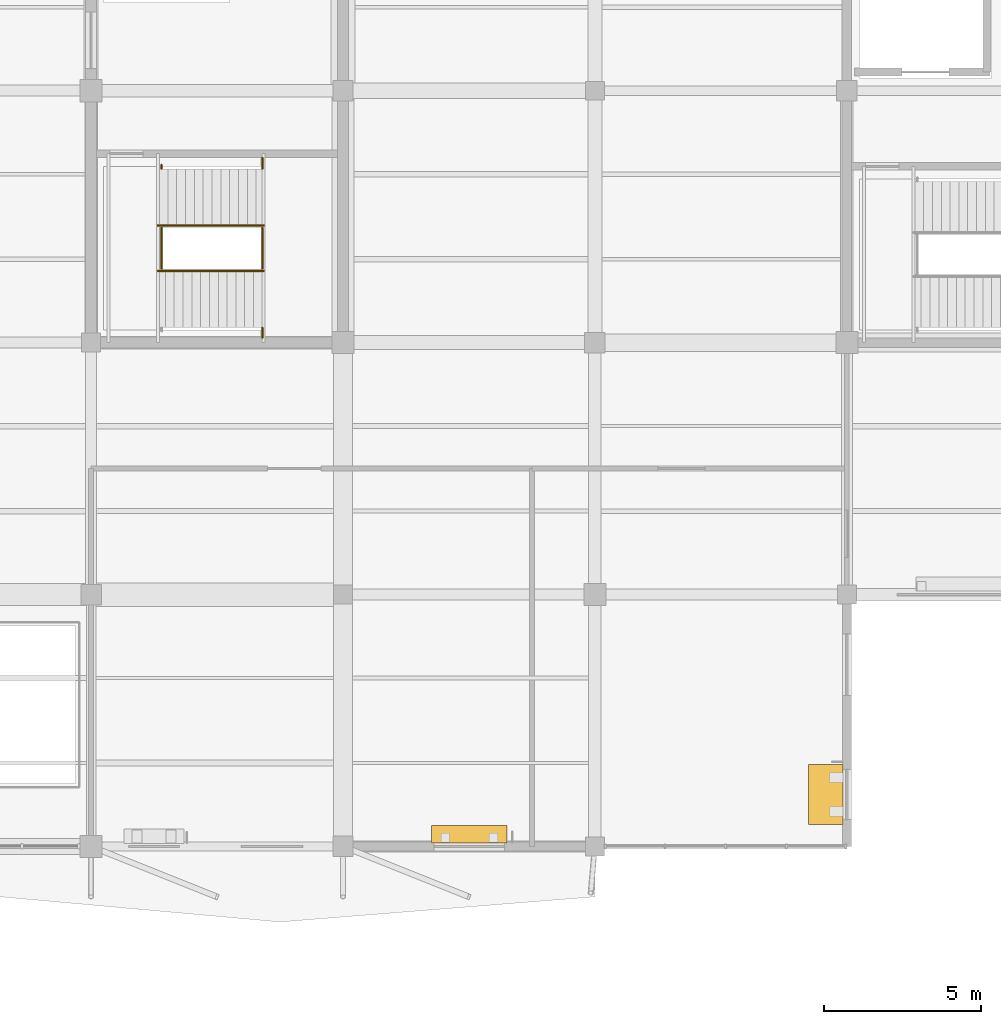
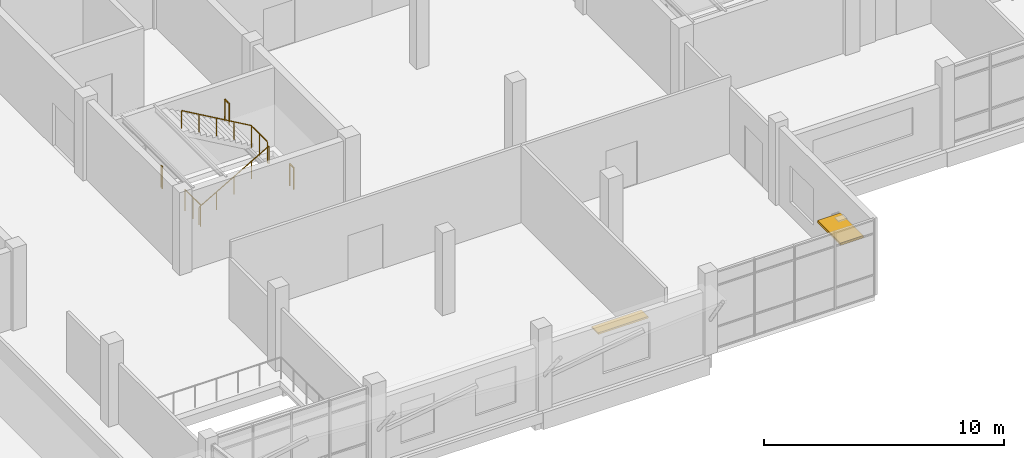
# One storey, part 81 of 84: 7 railings, 2 shading devices, 1 element without a shape of its own.
"""IFC4 building model written with IfcOpenShell, lengths in metres."""

from ifc_helpers import new_model, si_unit, direction, frame, origin, origin_2d, place, context, subcontext, project, spatial, rectangle, circle, extrude, material, layer, layer_set, type_object, element, aggregate, save


model = new_model("IFC4")

# Units and contexts
model_context = context("Model", 3, precision=1e-05, world=origin(), true_north=direction((0.0, 1.0)))
body_context = subcontext(model_context, "Body", "Model", "MODEL_VIEW")
ifc_project = project(units=[si_unit("LENGTHUNIT", "METRE"), si_unit("AREAUNIT", "SQUARE_METRE"), si_unit("VOLUMEUNIT", "CUBIC_METRE"), si_unit("PLANEANGLEUNIT", "RADIAN"), si_unit("MASSUNIT", "GRAM", prefix="KILO")], contexts=[model_context])

# Site, building, storey
site_placement = place(None, origin())
site = spatial("IfcSite", under=ifc_project, at=site_placement, CompositionType="ELEMENT")
building_placement = place(site_placement, origin())
building = spatial("IfcBuilding", under=site, at=building_placement, Name="Tenunan Teduh Sports Hall", CompositionType="ELEMENT")
storey_placement = place(building_placement, frame((0.0, 0.0, 10.800048828125)))
storey = spatial("IfcBuildingStorey", under=building, at=storey_placement, Name="L02", CompositionType="ELEMENT", Elevation=10.800048828125)

# Railings
ifc_material_1 = material(Name="Galvanised and powder-coated steel", Category="steel")
ifc_layer_1 = layer(ifc_material_1, 0.070068359375)
ifc_layer_set_1 = layer_set([ifc_layer_1], Name="Galvanised and powder-coated steel")
railing_type_1 = type_object("IfcRailingType", Name="RLG-EXT-GRD", PredefinedType="GUARDRAIL", material=ifc_layer_set_1)
railing_1_placement = place(storey_placement, frame((32.239990234375, 96.35009765625, 0.0)))
element("IfcRailing", 1, at=railing_1_placement, inside=storey, type_object=railing_type_1, Name="RLG-STW-WLND-W2-L01", PredefinedType="GUARDRAIL", context=body_context, shape_type="SweptSolid", body=[
    extrude(circle(Radius=0.02392578125, at=origin_2d()), frame((0.0, 0.0, 1.09619140625), z_axis=(0.0, 1.0, 0.0), x_axis=(-1.0, 0.0, 0.0)), (0.0, 0.0, 1.0), 1.2998046875),
    extrude(circle(Radius=0.02099609375, at=origin_2d()), origin(), (0.0, 0.0, 1.0), 1.072021484375),
    extrude(circle(Radius=0.02099609375, at=origin_2d()), frame((0.0, 0.64990234375, 0.0)), (0.0, 0.0, 1.0), 1.072021484375),
    extrude(circle(Radius=0.02099609375, at=origin_2d()), frame((0.0, 1.2998046875, 0.0)), (0.0, 0.0, 1.0), 1.072021484375),
])
railing_2_placement = place(storey_placement, frame((32.239990234375, 99.530029296875, 0.0)))
element("IfcRailing", 2, at=railing_2_placement, inside=storey, type_object=railing_type_1, Name="RLG-STW-WLNDN-W2-L01", PredefinedType="GUARDRAIL", context=body_context, shape_type="SweptSolid", body=[
    extrude(circle(Radius=0.02392578125, at=origin_2d()), frame((0.0, 0.0, 1.09619140625), z_axis=(0.0, 1.0, 0.0), x_axis=(-1.0, 0.0, 0.0)), (0.0, 0.0, 1.0), 0.10986328125),
    extrude(circle(Radius=0.02099609375, at=origin_2d()), origin(), (0.0, 0.0, 1.0), 1.072021484375),
    extrude(circle(Radius=0.02099609375, at=origin_2d()), frame((0.0, 0.10986328125, 0.0)), (0.0, 0.0, 1.0), 1.072021484375),
])
railing_3_placement = place(storey_placement, frame((35.43994140625, 96.35009765625, 2.099853515625)))
element("IfcRailing", 3, at=railing_3_placement, inside=storey, type_object=railing_type_1, Name="RLG-STW-MID-W2-L02", PredefinedType="GUARDRAIL", context=body_context, shape_type="SweptSolid", body=[
    extrude(circle(Radius=0.02392578125, at=origin_2d()), frame((0.0, 0.0, 1.09619140625), z_axis=(0.0, 1.0, 0.0), x_axis=(-1.0, 0.0, 0.0)), (0.0, 0.0, 1.0), 1.2998046875),
    extrude(circle(Radius=0.02099609375, at=origin_2d()), origin(), (0.0, 0.0, 1.0), 1.072021484375),
    extrude(circle(Radius=0.02099609375, at=origin_2d()), frame((0.0, 0.64990234375, 0.0)), (0.0, 0.0, 1.0), 1.072021484375),
    extrude(circle(Radius=0.02099609375, at=origin_2d()), frame((0.0, 1.2998046875, 0.0)), (0.0, 0.0, 1.0), 1.072021484375),
])
railing_4_placement = place(storey_placement, frame((35.43994140625, 94.159912109375, 2.099853515625)))
element("IfcRailing", 4, at=railing_4_placement, inside=storey, type_object=railing_type_1, Name="RLG-STW-MIDS-W2-L02", PredefinedType="GUARDRAIL", context=body_context, shape_type="SweptSolid", body=[
    extrude(circle(Radius=0.02392578125, at=origin_2d()), frame((0.0, 0.0, 1.09619140625), z_axis=(0.0, 1.0, 0.0), x_axis=(-1.0, 0.0, 0.0)), (0.0, 0.0, 1.0), 0.31005859375),
    extrude(circle(Radius=0.02099609375, at=origin_2d()), origin(), (0.0, 0.0, 1.0), 1.072021484375),
    extrude(circle(Radius=0.02099609375, at=origin_2d()), frame((0.0, 0.31005859375, 0.0)), (0.0, 0.0, 1.0), 1.072021484375),
])
railing_5_placement = place(storey_placement, frame((35.43994140625, 99.530029296875, 2.099853515625)))
element("IfcRailing", 5, at=railing_5_placement, inside=storey, type_object=railing_type_1, Name="RLG-STW-MIDN-W2-L02", PredefinedType="GUARDRAIL", context=body_context, shape_type="SweptSolid", body=[
    extrude(circle(Radius=0.02392578125, at=origin_2d()), frame((0.0, 0.0, 1.09619140625), z_axis=(0.0, 1.0, 0.0), x_axis=(-1.0, 0.0, 0.0)), (0.0, 0.0, 1.0), 0.340087890625),
    extrude(circle(Radius=0.02099609375, at=origin_2d()), origin(), (0.0, 0.0, 1.0), 1.072021484375),
    extrude(circle(Radius=0.02099609375, at=origin_2d()), frame((0.0, 0.340087890625, 0.0)), (0.0, 0.0, 1.0), 1.072021484375),
])

# Stair, railings
ifc_material_2 = material(Name="Precast concrete C40/50", Category="concrete")
stair_type = type_object("IfcStairType", Name="STR-CORE-54", PredefinedType="HALF_TURN_STAIR", material=ifc_material_2)
stair_placement = place(storey_placement, origin())
stair = element("IfcStair", 6, at=stair_placement, inside=storey, type_object=stair_type, Name="STR-W2-L02", PredefinedType="HALF_TURN_STAIR")
ifc_material_3 = material(Name="Brushed stainless steel", Category="steel")
ifc_layer_2 = layer(ifc_material_3, 0.050048828125)
ifc_layer_set_2 = layer_set([ifc_layer_2], Name="Brushed stainless steel")
railing_type_2 = type_object("IfcRailingType", Name="RLG-STAIR-HR", PredefinedType="HANDRAIL", material=ifc_layer_set_2)
railing_6_placement = place(storey_placement, frame((32.1201171875, 96.280029296875, 0.161376953125)))
railing_6 = element("IfcRailing", 7, at=railing_6_placement, type_object=railing_type_2, Name="STR-W2-L02-HR1", PredefinedType="HANDRAIL", context=body_context, shape_type="SweptSolid", body=[
    extrude(circle(Radius=0.02392578125, at=origin_2d()), frame((0.0, 0.0, 0.89599609375), z_axis=(0.866175107563, 0.0, 0.499740615757), x_axis=(0.0, 1.0, 0.0)), (0.0, 0.0, 1.0), 3.87890625),
    extrude(circle(Radius=0.02099609375, at=origin_2d()), origin(), (0.0, 0.0, 1.0), 0.871826171875),
    extrude(circle(Radius=0.02099609375, at=origin_2d()), frame((0.83984375, 0.0, 0.484619140625)), (0.0, 0.0, 1.0), 0.871826171875),
    extrude(circle(Radius=0.02099609375, at=origin_2d()), frame((1.679931640625, 0.0, 0.96923828125)), (0.0, 0.0, 1.0), 0.871826171875),
    extrude(circle(Radius=0.02099609375, at=origin_2d()), frame((2.52001953125, 0.0, 1.453857421875)), (0.0, 0.0, 1.0), 0.871826171875),
    extrude(circle(Radius=0.02099609375, at=origin_2d()), frame((3.35986328125, 0.0, 1.9384765625)), (0.0, 0.0, 1.0), 0.871826171875),
])
railing_7_placement = place(storey_placement, frame((35.47998046875, 97.719970703125, 2.261474609375)))
railing_7 = element("IfcRailing", 8, at=railing_7_placement, type_object=railing_type_2, Name="STR-W2-L02-HR2", PredefinedType="HANDRAIL", context=body_context, shape_type="SweptSolid", body=[
    extrude(circle(Radius=0.02392578125, at=origin_2d()), frame((0.0, 0.0, 0.89599609375), z_axis=(-0.866175107563, 0.0, 0.499740615757), x_axis=(0.0, -1.0, 0.0)), (0.0, 0.0, 1.0), 3.87890625),
    extrude(circle(Radius=0.02099609375, at=origin_2d()), origin(), (0.0, 0.0, 1.0), 0.871826171875),
    extrude(circle(Radius=0.02099609375, at=origin_2d()), frame((-0.83984375, 0.0, 0.484619140625)), (0.0, 0.0, 1.0), 0.871826171875),
    extrude(circle(Radius=0.02099609375, at=origin_2d()), frame((-1.679931640625, 0.0, 0.96923828125)), (0.0, 0.0, 1.0), 0.871826171875),
    extrude(circle(Radius=0.02099609375, at=origin_2d()), frame((-2.52001953125, 0.0, 1.453857421875)), (0.0, 0.0, 1.0), 0.871826171875),
    extrude(circle(Radius=0.02099609375, at=origin_2d()), frame((-3.35986328125, 0.0, 1.9384765625)), (0.0, 0.0, 1.0), 0.871826171875),
])
aggregate(stair, [railing_6, railing_7])

# Shading devices
ifc_material_4 = material(Name="Perforated anodised aluminium", Category="aluminium")
shading_device_type_1 = type_object("IfcShadingDeviceType", Name="SHD-LOUVRE-2", PredefinedType="SHUTTER", material=ifc_material_4)
shading_device_1_placement = place(storey_placement, frame((42.010009765625, 78.389892578125, 2.56494140625), z_axis=(0.0, 0.0, 1.0), x_axis=(1.0, 0.0, 0.0)))
element("IfcShadingDevice", 9, at=shading_device_1_placement, inside=storey, type_object=shading_device_type_1, Name="SHD-L02-040", PredefinedType="SHUTTER", context=body_context, shape_type="SweptSolid", body=[
    extrude(rectangle(XDim=2.39990234375, YDim=0.550048828125, at=origin_2d()), origin(), (0.0, 0.0, 1.0), 0.090087890625),
])
ifc_material_5 = material(Name="Perforated anodised aluminium", Category="aluminium")
shading_device_type_2 = type_object("IfcShadingDeviceType", Name="SHD-SUNSHADE-1", PredefinedType="JALOUSIE", material=ifc_material_5)
shading_device_2_placement = place(storey_placement, frame((53.330078125, 79.64990234375, 2.5498046875), z_axis=(0.0, 0.0, 1.0), x_axis=(0.0, 1.0, 0.0)))
element("IfcShadingDevice", 10, at=shading_device_2_placement, inside=storey, type_object=shading_device_type_2, Name="SHD-L02-041", PredefinedType="JALOUSIE", context=body_context, shape_type="SweptSolid", body=[
    extrude(rectangle(XDim=1.89990234375, YDim=1.10009765625, at=origin_2d()), origin(), (0.0, 0.0, 1.0), 0.1201171875),
])

save(model, "model.ifc")
